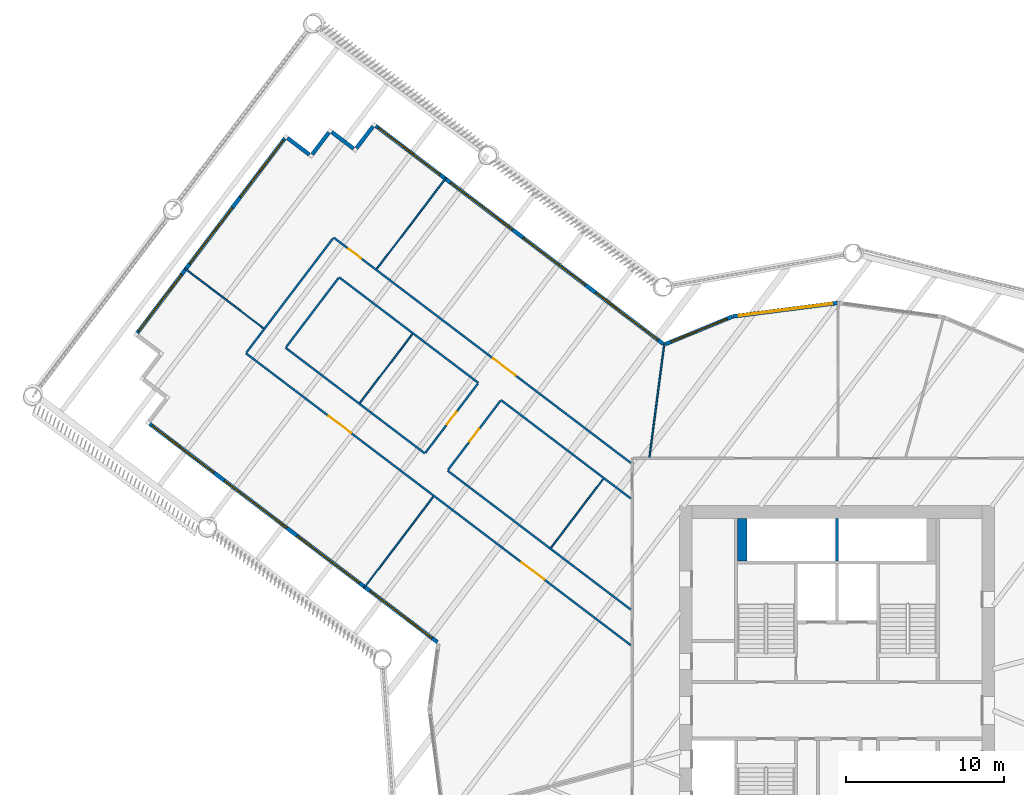
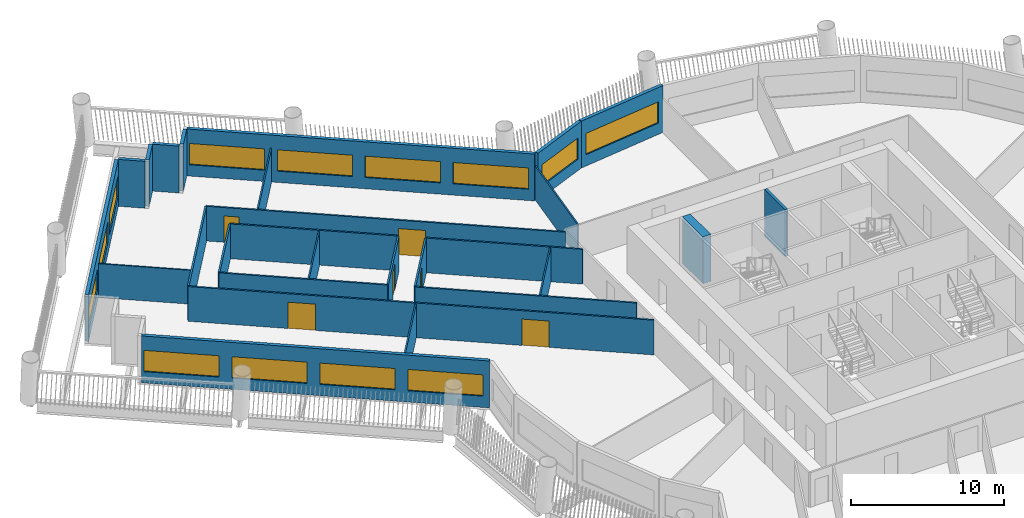
# One storey, part 6 of 16: 27 walls, 13 windows, 6 doors, 19 openings.
"""IFC4 building model written with IfcOpenShell, lengths in metres."""

from ifc_helpers import new_model, si_unit, direction, frame, frame_2d, origin, place, context, subcontext, project, spatial, rectangle, extrude, material, layer, layer_set, type_object, element, fill, save


model = new_model("IFC4")

# Units and contexts
model_context = context("Model", 3, precision=1e-05, world=origin(), true_north=direction((0.0, 1.0)))
body_context = subcontext(model_context, "Body", "Model", "MODEL_VIEW")
ifc_project = project(units=[si_unit("LENGTHUNIT", "METRE"), si_unit("AREAUNIT", "SQUARE_METRE"), si_unit("VOLUMEUNIT", "CUBIC_METRE"), si_unit("PLANEANGLEUNIT", "RADIAN"), si_unit("MASSUNIT", "GRAM", prefix="KILO")], contexts=[model_context])

# Site, building, storey
site_placement = place(None, origin())
site = spatial("IfcSite", under=ifc_project, at=site_placement, CompositionType="ELEMENT")
building_placement = place(site_placement, origin())
building = spatial("IfcBuilding", under=site, at=building_placement, Name="Tarsis Ring Headquarters", CompositionType="ELEMENT")
storey_placement = place(building_placement, frame((0.0, 0.0, 120.10009765625)))
storey = spatial("IfcBuildingStorey", under=building, at=storey_placement, Name="L27", CompositionType="ELEMENT", Elevation=120.10009765625)

# Walls
ifc_material_1 = material(Name="Gypsum board on steel studs", Category="steel")
ifc_layer_1 = layer(ifc_material_1, 0.10009765625)
ifc_layer_set_1 = layer_set([ifc_layer_1], Name="FL partition 100 unrated")
wall_type_1 = type_object("IfcWallType", Name="FL partition 100 unrated", PredefinedType="PARTITIONING", material=ifc_layer_set_1)
wall_1_placement = place(storey_placement, frame((-11.902099609375, 16.069091796875, 0.0), z_axis=(0.0, 0.0, 1.0), x_axis=(0.129333443993, 0.991601159875, 0.0)))
element("IfcWall", 1, at=wall_1_placement, inside=storey, type_object=wall_type_1, Name="Partition PW3", PredefinedType="PARTITIONING", context=body_context, shape_type="SweptSolid", body=[
    extrude(rectangle(XDim=7.273193359375, YDim=0.10009765625, at=frame_2d((3.63671875, 0.0))), origin(), (0.0, 0.0, 1.0), 2.699951171875),
])
for number, where, z_axis, x_axis, name in (
    (2, (-29.208740234375, 28.028564453125, 0.0), (0.0, 0.0, 1.0), (0.604337970402, 0.796728070003, 0.0), "Partition PW3"),
    (3, (-30.0244140625, 7.774658203125, 0.0), (0.0, 0.0, 1.0), (0.604337970402, 0.796728070003, 0.0), "Partition PW3"),
):
    element("IfcWall", number, at=place(storey_placement, frame(where, z_axis=z_axis, x_axis=x_axis)), inside=storey, type_object=wall_type_1, Name=name, PredefinedType="PARTITIONING", context=body_context, shape_type="SweptSolid", body=[
        extrude(rectangle(XDim=7.27001953125, YDim=0.10009765625, at=frame_2d((3.635009765625, 0.0))), origin(), (0.0, 0.0, 1.0), 2.699951171875),
    ])
wall_2_placement = place(storey_placement, frame((-41.41064453125, 28.05859375, 0.0), z_axis=(0.0, 0.0, 1.0), x_axis=(0.796731935229, -0.604332874653, 0.0)))
element("IfcWall", 4, at=wall_2_placement, inside=storey, type_object=wall_type_1, Name="Partition PW3", PredefinedType="PARTITIONING", context=body_context, shape_type="SweptSolid", body=[
    extrude(rectangle(XDim=6.280029296875, YDim=0.10009765625, at=frame_2d((3.14013671875, 0.0))), origin(), (0.0, 0.0, 1.0), 2.699951171875),
])
wall_3_placement = place(storey_placement, frame((-30.27490234375, 19.524169921875, 0.0), z_axis=(0.0, 0.0, 1.0), x_axis=(0.604325050574, 0.796737869847, 0.0)))
element("IfcWall", 5, at=wall_3_placement, inside=storey, type_object=wall_type_1, Name="Partition PW3", PredefinedType="PARTITIONING", context=body_context, shape_type="SweptSolid", body=[
    extrude(rectangle(XDim=5.480224609375, YDim=0.10009765625, at=frame_2d((2.740234375, 0.0))), origin(), (0.0, 0.0, 1.0), 2.699951171875),
])
wall_4_placement = place(storey_placement, frame((-18.1484375, 10.326416015625, 0.0), z_axis=(0.0, 0.0, 1.0), x_axis=(0.604346501589, 0.796721598814, 0.0)))
element("IfcWall", 6, at=wall_4_placement, inside=storey, type_object=wall_type_1, Name="Partition PW3", PredefinedType="PARTITIONING", context=body_context, shape_type="SweptSolid", body=[
    extrude(rectangle(XDim=5.47998046875, YDim=0.10009765625, at=frame_2d((2.739990234375, 0.0))), origin(), (0.0, 0.0, 1.0), 2.699951171875),
])

# Wall, openings, doors
ifc_layer_2 = layer(ifc_material_1, 0.125)
ifc_layer_set_2 = layer_set([ifc_layer_2], Name="FL partition 125 EI 60 H2770")
wall_type_2 = type_object("IfcWallType", Name="FL partition 125 EI 60 H2770", PredefinedType="PARTITIONING", material=ifc_layer_set_2)
wall_5_placement = place(storey_placement, frame((-37.523681640625, 22.67529296875, 0.0), z_axis=(0.0, 0.0, 1.0), x_axis=(0.796742417976, -0.604319054306, 0.0)))
wall_5 = element("IfcWall", 7, at=wall_5_placement, inside=storey, type_object=wall_type_2, Name="Partition PW1", PredefinedType="PARTITIONING", context=body_context, shape_type="SweptSolid", body=[
    extrude(rectangle(XDim=30.669921875, YDim=0.125, at=frame_2d((15.3349609375, 0.0))), origin(), (0.0, 0.0, 1.0), 2.77001953125),
])
opening_1_placement = place(wall_5_placement, frame((6.589599609375, 0.0, 0.0)))
opening_1 = element("IfcOpeningElement", 8, at=opening_1_placement, cuts=wall_5, Name="Opening D27.01", PredefinedType="OPENING", context=body_context, shape_type="SweptSolid", body=[
    extrude(rectangle(XDim=1.800048828125, YDim=2.10009765625, at=frame_2d((0.89990234375, 1.050048828125))), frame((0.0, 0.072509765625, 0.0), z_axis=(0.0, -1.0, 0.0), x_axis=(1.0, 0.0, 0.0)), (0.0, 0.0, 1.0), 0.14501953125),
])
opening_2_placement = place(wall_5_placement, frame((21.9794921875, 0.0, 0.0)))
opening_2 = element("IfcOpeningElement", 9, at=opening_2_placement, cuts=wall_5, Name="Opening D27.15", PredefinedType="OPENING", context=body_context, shape_type="SweptSolid", body=[
    extrude(rectangle(XDim=1.800048828125, YDim=2.10009765625, at=frame_2d((0.89990234375, 1.050048828125))), frame((0.0, 0.072509765625, 0.0), z_axis=(0.0, -1.0, 0.0), x_axis=(1.0, 0.0, 0.0)), (0.0, 0.0, 1.0), 0.14501953125),
])
ifc_material_2 = material(Name="Fire-rated timber door leaf in steel frame", Category="steel")
door_type_1 = type_object("IfcDoorType", Name="FL door FD60-1800", OperationType="DOUBLE_DOOR_SINGLE_SWING", PredefinedType="DOOR", material=ifc_material_2)
door_1_placement = place(opening_1_placement, origin())
door_1 = element("IfcDoor", 10, at=door_1_placement, inside=storey, type_object=door_type_1, Name="Door D27.01", OperationType="DOUBLE_DOOR_SINGLE_SWING", OverallHeight=2.10009765625, OverallWidth=1.800048828125, PredefinedType="DOOR", context=body_context, shape_type="SweptSolid", body=[
    extrude(rectangle(XDim=1.800048828125, YDim=2.10009765625, at=frame_2d((0.89990234375, 1.050048828125))), frame((0.0, 0.02490234375, 0.0), z_axis=(0.0, -1.0, 0.0), x_axis=(1.0, 0.0, 0.0)), (0.0, 0.0, 1.0), 0.050048828125),
])
fill(opening_1, door_1)
door_2_placement = place(opening_2_placement, origin())
door_2 = element("IfcDoor", 11, at=door_2_placement, inside=storey, type_object=door_type_1, Name="Door D27.15", OperationType="DOUBLE_DOOR_SINGLE_SWING", OverallHeight=2.10009765625, OverallWidth=1.800048828125, PredefinedType="DOOR", context=body_context, shape_type="SweptSolid", body=[
    extrude(rectangle(XDim=1.800048828125, YDim=2.10009765625, at=frame_2d((0.89990234375, 1.050048828125))), frame((0.0, 0.02490234375, 0.0), z_axis=(0.0, -1.0, 0.0), x_axis=(1.0, 0.0, 0.0)), (0.0, 0.0, 1.0), 0.050048828125),
])
fill(opening_2, door_2)

wall_6_placement = place(storey_placement, frame((-31.951904296875, 30.021484375, 0.0), z_axis=(0.0, 0.0, 1.0), x_axis=(0.796736467355, -0.604326899606, 0.0)))
wall_6 = element("IfcWall", 12, at=wall_6_placement, inside=storey, type_object=wall_type_2, Name="Partition PW1", PredefinedType="PARTITIONING", context=body_context, shape_type="SweptSolid", body=[
    extrude(rectangle(XDim=23.677001953125, YDim=0.125, at=frame_2d((11.83837890625, 0.0))), origin(), (0.0, 0.0, 1.0), 2.77001953125),
])
opening_3_placement = place(wall_6_placement, frame((1.19384765625, 0.0, 0.0)))
opening_3 = element("IfcOpeningElement", 13, at=opening_3_placement, cuts=wall_6, Name="Opening D27.02", PredefinedType="OPENING", context=body_context, shape_type="SweptSolid", body=[
    extrude(rectangle(XDim=1.0, YDim=2.10009765625, at=frame_2d((0.5, 1.050048828125))), frame((0.0, 0.072509765625, 0.0), z_axis=(0.0, -1.0, 0.0), x_axis=(1.0, 0.0, 0.0)), (0.0, 0.0, 1.0), 0.14501953125),
])
opening_4_placement = place(wall_6_placement, frame((12.6875, 0.0, 0.0)))
opening_4 = element("IfcOpeningElement", 14, at=opening_4_placement, cuts=wall_6, Name="Opening D27.03", PredefinedType="OPENING", context=body_context, shape_type="SweptSolid", body=[
    extrude(rectangle(XDim=1.800048828125, YDim=2.10009765625, at=frame_2d((0.89990234375, 1.050048828125))), frame((0.0, 0.072509765625, 0.0), z_axis=(0.0, -1.0, 0.0), x_axis=(1.0, 0.0, 0.0)), (0.0, 0.0, 1.0), 0.14501953125),
])
door_type_2 = type_object("IfcDoorType", Name="FL door FD60-1000", OperationType="NOTDEFINED", PredefinedType="DOOR", material=ifc_material_2)
door_3_placement = place(opening_3_placement, origin())
door_3 = element("IfcDoor", 15, at=door_3_placement, inside=storey, type_object=door_type_2, Name="Door D27.02", OperationType="SINGLE_SWING_LEFT", OverallHeight=2.10009765625, OverallWidth=1.0, PredefinedType="DOOR", context=body_context, shape_type="SweptSolid", body=[
    extrude(rectangle(XDim=1.0, YDim=2.10009765625, at=frame_2d((0.5, 1.050048828125))), frame((0.0, 0.02490234375, 0.0), z_axis=(0.0, -1.0, 0.0), x_axis=(1.0, 0.0, 0.0)), (0.0, 0.0, 1.0), 0.050048828125),
])
fill(opening_3, door_3)
door_4_placement = place(opening_4_placement, origin())
door_4 = element("IfcDoor", 16, at=door_4_placement, inside=storey, type_object=door_type_1, Name="Door D27.03", OperationType="DOUBLE_DOOR_SINGLE_SWING", OverallHeight=2.10009765625, OverallWidth=1.800048828125, PredefinedType="DOOR", context=body_context, shape_type="SweptSolid", body=[
    extrude(rectangle(XDim=1.800048828125, YDim=2.10009765625, at=frame_2d((0.89990234375, 1.050048828125))), frame((0.0, 0.02490234375, 0.0), z_axis=(0.0, -1.0, 0.0), x_axis=(1.0, 0.0, 0.0)), (0.0, 0.0, 1.0), 0.050048828125),
])
fill(opening_4, door_4)

# Walls
wall_7_placement = place(storey_placement, frame((-24.72412109375, 15.22607421875, 0.0), z_axis=(0.0, 0.0, 1.0), x_axis=(0.796740672275, -0.604321355855, 0.0)))
element("IfcWall", 17, at=wall_7_placement, inside=storey, type_object=wall_type_2, Name="Partition PW1", PredefinedType="PARTITIONING", context=body_context, shape_type="SweptSolid", body=[
    extrude(rectangle(XDim=14.60498046875, YDim=0.125, at=frame_2d((7.302490234375, 0.0))), origin(), (0.0, 0.0, 1.0), 2.77001953125),
])
wall_8_placement = place(storey_placement, frame((-31.605712890625, 27.49951171875, 0.0), z_axis=(0.0, 0.0, 1.0), x_axis=(0.796744585377, -0.604316196765, 0.0)))
element("IfcWall", 18, at=wall_8_placement, inside=storey, type_object=wall_type_2, Name="Partition PW1", PredefinedType="PARTITIONING", context=body_context, shape_type="SweptSolid", body=[
    extrude(rectangle(XDim=11.10009765625, YDim=0.125, at=frame_2d((5.550048828125, 0.0))), origin(), (0.0, 0.0, 1.0), 2.77001953125),
])
wall_9_placement = place(storey_placement, frame((-35.001953125, 23.021728515625, 0.0), z_axis=(0.0, 0.0, 1.0), x_axis=(0.796736552879, -0.604326786851, 0.0)))
element("IfcWall", 19, at=wall_9_placement, inside=storey, type_object=wall_type_2, Name="Partition PW1", PredefinedType="PARTITIONING", context=body_context, shape_type="SweptSolid", body=[
    extrude(rectangle(XDim=11.099853515625, YDim=0.125, at=frame_2d((5.5498046875, 0.0))), origin(), (0.0, 0.0, 1.0), 2.77001953125),
])
wall_10_placement = place(storey_placement, frame((-21.32763671875, 19.70361328125, 0.0), z_axis=(0.0, 0.0, 1.0), x_axis=(0.796739086927, -0.604323445982, 0.0)))
element("IfcWall", 20, at=wall_10_placement, inside=storey, type_object=wall_type_2, Name="Partition PW1", PredefinedType="PARTITIONING", context=body_context, shape_type="SweptSolid", body=[
    extrude(rectangle(XDim=10.342041015625, YDim=0.125, at=frame_2d((5.1708984375, 0.0))), origin(), (0.0, 0.0, 1.0), 2.77001953125),
])
wall_11_placement = place(storey_placement, frame((-37.487548828125, 22.72314453125, 0.0), z_axis=(0.0, 0.0, 1.0), x_axis=(0.604309556998, 0.796749621475, 0.0)))
element("IfcWall", 21, at=wall_11_placement, inside=storey, type_object=wall_type_2, Name="Partition PW1", PredefinedType="PARTITIONING", context=body_context, shape_type="SweptSolid", body=[
    extrude(rectangle(XDim=9.10009765625, YDim=0.125, at=frame_2d((4.550048828125, 0.0))), origin(), (0.0, 0.0, 1.0), 2.77001953125),
])

# Wall, opening, door
wall_12_placement = place(storey_placement, frame((-24.687744140625, 15.273681640625, 0.0), z_axis=(0.0, 0.0, 1.0), x_axis=(0.60429515584, 0.796760544096, 0.0)))
wall_12 = element("IfcWall", 22, at=wall_12_placement, inside=storey, type_object=wall_type_2, Name="Partition PW1", PredefinedType="PARTITIONING", context=body_context, shape_type="SweptSolid", body=[
    extrude(rectangle(XDim=5.500244140625, YDim=0.125, at=frame_2d((2.75, 0.0))), origin(), (0.0, 0.0, 1.0), 2.77001953125),
])
opening_5_placement = place(wall_12_placement, frame((2.25, 0.0, 0.0)))
opening_5 = element("IfcOpeningElement", 23, at=opening_5_placement, cuts=wall_12, Name="Opening D27.17", PredefinedType="OPENING", context=body_context, shape_type="SweptSolid", body=[
    extrude(rectangle(XDim=1.0, YDim=2.10009765625, at=frame_2d((0.5, 1.050048828125))), frame((0.0, 0.072509765625, 0.0), z_axis=(0.0, -1.0, 0.0), x_axis=(1.0, 0.0, 0.0)), (0.0, 0.0, 1.0), 0.14501953125),
])
door_5_placement = place(opening_5_placement, origin())
door_5 = element("IfcDoor", 24, at=door_5_placement, inside=storey, type_object=door_type_2, Name="Door D27.17", OperationType="SINGLE_SWING_RIGHT", OverallHeight=2.10009765625, OverallWidth=1.0, PredefinedType="DOOR", context=body_context, shape_type="SweptSolid", body=[
    extrude(rectangle(XDim=1.0, YDim=2.10009765625, at=frame_2d((0.5, 1.050048828125))), frame((0.0, 0.02490234375, 0.0), z_axis=(0.0, -1.0, 0.0), x_axis=(1.0, 0.0, 0.0)), (0.0, 0.0, 1.0), 0.050048828125),
])
fill(opening_5, door_5)

wall_13_placement = place(storey_placement, frame((-26.121826171875, 16.361572265625, 0.0), z_axis=(0.0, 0.0, 1.0), x_axis=(0.604316528139, 0.796744334036, 0.0)))
wall_13 = element("IfcWall", 25, at=wall_13_placement, inside=storey, type_object=wall_type_2, Name="Partition PW1", PredefinedType="PARTITIONING", context=body_context, shape_type="SweptSolid", body=[
    extrude(rectangle(XDim=5.5, YDim=0.125, at=frame_2d((2.75, 0.0))), origin(), (0.0, 0.0, 1.0), 2.77001953125),
])
opening_6_placement = place(wall_13_placement, frame((2.25, 0.0, 0.0)))
opening_6 = element("IfcOpeningElement", 26, at=opening_6_placement, cuts=wall_13, Name="Opening D27.21", PredefinedType="OPENING", context=body_context, shape_type="SweptSolid", body=[
    extrude(rectangle(XDim=1.0, YDim=2.10009765625, at=frame_2d((0.5, 1.050048828125))), frame((0.0, 0.072509765625, 0.0), z_axis=(0.0, -1.0, 0.0), x_axis=(1.0, 0.0, 0.0)), (0.0, 0.0, 1.0), 0.14501953125),
])
door_6_placement = place(opening_6_placement, origin())
door_6 = element("IfcDoor", 27, at=door_6_placement, inside=storey, type_object=door_type_2, Name="Door D27.21", OperationType="SINGLE_SWING_RIGHT", OverallHeight=2.10009765625, OverallWidth=1.0, PredefinedType="DOOR", context=body_context, shape_type="SweptSolid", body=[
    extrude(rectangle(XDim=1.0, YDim=2.10009765625, at=frame_2d((0.5, 1.050048828125))), frame((0.0, 0.02490234375, 0.0), z_axis=(0.0, -1.0, 0.0), x_axis=(1.0, 0.0, 0.0)), (0.0, 0.0, 1.0), 0.050048828125),
])
fill(opening_6, door_6)

# Wall
wall_14_placement = place(storey_placement, frame((-34.9658203125, 23.069580078125, 0.0), z_axis=(0.0, 0.0, 1.0), x_axis=(0.604344705429, 0.796722961273, 0.0)))
element("IfcWall", 28, at=wall_14_placement, inside=storey, type_object=wall_type_2, Name="Partition PW1", PredefinedType="PARTITIONING", context=body_context, shape_type="SweptSolid", body=[
    extrude(rectangle(XDim=5.500244140625, YDim=0.125, at=frame_2d((2.75, 0.0))), origin(), (0.0, 0.0, 1.0), 2.77001953125),
])

# Wall, openings, windows
ifc_material_3 = material(Name="Terracotta clad insulated panel wall", Category="masonry")
ifc_layer_3 = layer(ifc_material_3, 0.25)
ifc_layer_set_3 = layer_set([ifc_layer_3], Name="Facade wall terracotta panel 250")
wall_type_3 = type_object("IfcWallType", Name="Facade wall terracotta panel 250", PredefinedType="STANDARD", material=ifc_layer_set_3)
wall_15_placement = place(storey_placement, frame((-43.627197265625, 18.186279296875, 0.0), z_axis=(0.0, 0.0, 1.0), x_axis=(0.796745736321, -0.604314679331, 0.0)))
wall_15 = element("IfcWall", 29, at=wall_15_placement, inside=storey, type_object=wall_type_3, Name="External wall L27-01", PredefinedType="STANDARD", context=body_context, shape_type="SweptSolid", body=[
    extrude(rectangle(XDim=22.921875, YDim=0.25, at=frame_2d((11.4609375, 0.0))), origin(), (0.0, 0.0, 1.0), 3.739990234375),
])
opening_7_placement = place(wall_15_placement, frame((0.17138671875, 0.0, 0.89990234375)))
opening_7 = element("IfcOpeningElement", 30, at=opening_7_placement, cuts=wall_15, Name="Opening WN05", PredefinedType="OPENING", context=body_context, shape_type="SweptSolid", body=[
    extrude(rectangle(XDim=4.949951171875, YDim=1.699951171875, at=frame_2d((2.47509765625, 0.85009765625))), frame((0.0, 0.135009765625, 0.0), z_axis=(0.0, -1.0, 0.0), x_axis=(1.0, 0.0, 0.0)), (0.0, 0.0, 1.0), 0.27001953125),
])
opening_8_placement = place(wall_15_placement, frame((5.964599609375, 0.0, 0.89990234375)))
opening_8 = element("IfcOpeningElement", 31, at=opening_8_placement, cuts=wall_15, Name="Opening WN05", PredefinedType="OPENING", context=body_context, shape_type="SweptSolid", body=[
    extrude(rectangle(XDim=4.949951171875, YDim=1.699951171875, at=frame_2d((2.47509765625, 0.85009765625))), frame((0.0, 0.135009765625, 0.0), z_axis=(0.0, -1.0, 0.0), x_axis=(1.0, 0.0, 0.0)), (0.0, 0.0, 1.0), 0.27001953125),
])
opening_9_placement = place(wall_15_placement, frame((11.757568359375, 0.0, 0.89990234375)))
opening_9 = element("IfcOpeningElement", 32, at=opening_9_placement, cuts=wall_15, Name="Opening WN05", PredefinedType="OPENING", context=body_context, shape_type="SweptSolid", body=[
    extrude(rectangle(XDim=4.949951171875, YDim=1.699951171875, at=frame_2d((2.47509765625, 0.85009765625))), frame((0.0, 0.135009765625, 0.0), z_axis=(0.0, -1.0, 0.0), x_axis=(1.0, 0.0, 0.0)), (0.0, 0.0, 1.0), 0.27001953125),
])
opening_10_placement = place(wall_15_placement, frame((17.550537109375, 0.0, 0.89990234375)))
opening_10 = element("IfcOpeningElement", 33, at=opening_10_placement, cuts=wall_15, Name="Opening WN05", PredefinedType="OPENING", context=body_context, shape_type="SweptSolid", body=[
    extrude(rectangle(XDim=4.949951171875, YDim=1.699951171875, at=frame_2d((2.47509765625, 0.85009765625))), frame((0.0, 0.135009765625, 0.0), z_axis=(0.0, -1.0, 0.0), x_axis=(1.0, 0.0, 0.0)), (0.0, 0.0, 1.0), 0.27001953125),
])
ifc_material_4 = material(Name="Aluminium framed double glazing", Category="aluminium")
window_type_1 = type_object("IfcWindowType", Name="Facade window 4950 x 1700", PartitioningType="SINGLE_PANEL", PredefinedType="WINDOW", material=ifc_material_4)
window_1_placement = place(opening_7_placement, origin())
window_1 = element("IfcWindow", 34, at=window_1_placement, inside=storey, type_object=window_type_1, Name="Window L27-01.1", OverallHeight=1.699951171875, OverallWidth=4.949951171875, PartitioningType="SINGLE_PANEL", PredefinedType="WINDOW", context=body_context, shape_type="SweptSolid", body=[
    extrude(rectangle(XDim=4.949951171875, YDim=1.699951171875, at=frame_2d((2.47509765625, 0.85009765625))), frame((0.0, 0.030029296875, 0.0), z_axis=(0.0, -1.0, 0.0), x_axis=(1.0, 0.0, 0.0)), (0.0, 0.0, 1.0), 0.06005859375),
])
fill(opening_7, window_1)
window_2_placement = place(opening_8_placement, origin())
window_2 = element("IfcWindow", 35, at=window_2_placement, inside=storey, type_object=window_type_1, Name="Window L27-01.2", OverallHeight=1.699951171875, OverallWidth=4.949951171875, PartitioningType="SINGLE_PANEL", PredefinedType="WINDOW", context=body_context, shape_type="SweptSolid", body=[
    extrude(rectangle(XDim=4.949951171875, YDim=1.699951171875, at=frame_2d((2.47509765625, 0.85009765625))), frame((0.0, 0.030029296875, 0.0), z_axis=(0.0, -1.0, 0.0), x_axis=(1.0, 0.0, 0.0)), (0.0, 0.0, 1.0), 0.06005859375),
])
fill(opening_8, window_2)
window_3_placement = place(opening_9_placement, origin())
window_3 = element("IfcWindow", 36, at=window_3_placement, inside=storey, type_object=window_type_1, Name="Window L27-01.3", OverallHeight=1.699951171875, OverallWidth=4.949951171875, PartitioningType="SINGLE_PANEL", PredefinedType="WINDOW", context=body_context, shape_type="SweptSolid", body=[
    extrude(rectangle(XDim=4.949951171875, YDim=1.699951171875, at=frame_2d((2.47509765625, 0.85009765625))), frame((0.0, 0.030029296875, 0.0), z_axis=(0.0, -1.0, 0.0), x_axis=(1.0, 0.0, 0.0)), (0.0, 0.0, 1.0), 0.06005859375),
])
fill(opening_9, window_3)
window_4_placement = place(opening_10_placement, origin())
window_4 = element("IfcWindow", 37, at=window_4_placement, inside=storey, type_object=window_type_1, Name="Window L27-01.4", OverallHeight=1.699951171875, OverallWidth=4.949951171875, PartitioningType="SINGLE_PANEL", PredefinedType="WINDOW", context=body_context, shape_type="SweptSolid", body=[
    extrude(rectangle(XDim=4.949951171875, YDim=1.699951171875, at=frame_2d((2.47509765625, 0.85009765625))), frame((0.0, 0.030029296875, 0.0), z_axis=(0.0, -1.0, 0.0), x_axis=(1.0, 0.0, 0.0)), (0.0, 0.0, 1.0), 0.06005859375),
])
fill(opening_10, window_4)

# Wall, opening, window
wall_16_placement = place(storey_placement, frame((0.06494140625, 25.87158203125, 0.0), z_axis=(0.0, 0.0, 1.0), x_axis=(-0.991853682392, -0.127382387818, 0.0)))
wall_16 = element("IfcWall", 38, at=wall_16_placement, inside=storey, type_object=wall_type_3, Name="External wall L27-29", PredefinedType="STANDARD", context=body_context, shape_type="SweptSolid", body=[
    extrude(rectangle(XDim=6.721435546875, YDim=0.25, at=frame_2d((3.36083984375, 0.0))), origin(), (0.0, 0.0, 1.0), 3.739990234375),
])
opening_11_placement = place(wall_16_placement, frame((0.3857421875, 0.0, 0.89990234375)))
opening_11 = element("IfcOpeningElement", 39, at=opening_11_placement, cuts=wall_16, Name="Opening WN07", PredefinedType="OPENING", context=body_context, shape_type="SweptSolid", body=[
    extrude(rectangle(XDim=5.949951171875, YDim=1.699951171875, at=frame_2d((2.97509765625, 0.85009765625))), frame((0.0, 0.135009765625, 0.0), z_axis=(0.0, -1.0, 0.0), x_axis=(1.0, 0.0, 0.0)), (0.0, 0.0, 1.0), 0.27001953125),
])
window_type_2 = type_object("IfcWindowType", Name="Facade window 5950 x 1700", PartitioningType="SINGLE_PANEL", PredefinedType="WINDOW", material=ifc_material_4)
window_5_placement = place(opening_11_placement, origin())
window_5 = element("IfcWindow", 40, at=window_5_placement, inside=storey, type_object=window_type_2, Name="Window L27-29.1", OverallHeight=1.699951171875, OverallWidth=5.949951171875, PartitioningType="SINGLE_PANEL", PredefinedType="WINDOW", context=body_context, shape_type="SweptSolid", body=[
    extrude(rectangle(XDim=5.949951171875, YDim=1.699951171875, at=frame_2d((2.97509765625, 0.85009765625))), frame((0.0, 0.030029296875, 0.0), z_axis=(0.0, -1.0, 0.0), x_axis=(1.0, 0.0, 0.0)), (0.0, 0.0, 1.0), 0.06005859375),
])
fill(opening_11, window_5)

wall_17_placement = place(storey_placement, frame((-6.63330078125, 25.0068359375, 0.0), z_axis=(0.0, 0.0, 1.0), x_axis=(-0.925088149832, -0.37975243915, 0.0)))
wall_17 = element("IfcWall", 41, at=wall_17_placement, inside=storey, type_object=wall_type_3, Name="External wall L27-30", PredefinedType="STANDARD", context=body_context, shape_type="SweptSolid", body=[
    extrude(rectangle(XDim=4.617919921875, YDim=0.25, at=frame_2d((2.30908203125, 0.0))), origin(), (0.0, 0.0, 1.0), 3.739990234375),
])
opening_12_placement = place(wall_17_placement, frame((0.367431640625, 0.0, 0.89990234375)))
opening_12 = element("IfcOpeningElement", 42, at=opening_12_placement, cuts=wall_17, Name="Opening WN02", PredefinedType="OPENING", context=body_context, shape_type="SweptSolid", body=[
    extrude(rectangle(XDim=3.85009765625, YDim=1.699951171875, at=frame_2d((1.925048828125, 0.85009765625))), frame((0.0, 0.135009765625, 0.0), z_axis=(0.0, -1.0, 0.0), x_axis=(1.0, 0.0, 0.0)), (0.0, 0.0, 1.0), 0.27001953125),
])
window_type_3 = type_object("IfcWindowType", Name="Facade window 3850 x 1700", PartitioningType="SINGLE_PANEL", PredefinedType="WINDOW", material=ifc_material_4)
window_6_placement = place(opening_12_placement, origin())
window_6 = element("IfcWindow", 43, at=window_6_placement, inside=storey, type_object=window_type_3, Name="Window L27-30.1", OverallHeight=1.699951171875, OverallWidth=3.85009765625, PartitioningType="SINGLE_PANEL", PredefinedType="WINDOW", context=body_context, shape_type="SweptSolid", body=[
    extrude(rectangle(XDim=3.85009765625, YDim=1.699951171875, at=frame_2d((1.925048828125, 0.85009765625))), frame((0.0, 0.030029296875, 0.0), z_axis=(0.0, -1.0, 0.0), x_axis=(1.0, 0.0, 0.0)), (0.0, 0.0, 1.0), 0.06005859375),
])
fill(opening_12, window_6)

# Wall, openings, windows
wall_18_placement = place(storey_placement, frame((-11.028076171875, 23.269287109375, 0.0), z_axis=(0.0, 0.0, 1.0), x_axis=(-0.796746670127, 0.604313448172, 0.0)))
wall_18 = element("IfcWall", 44, at=wall_18_placement, inside=storey, type_object=wall_type_3, Name="External wall L27-31", PredefinedType="STANDARD", context=body_context, shape_type="SweptSolid", body=[
    extrude(rectangle(XDim=22.9013671875, YDim=0.25, at=frame_2d((11.45068359375, 0.0))), origin(), (0.0, 0.0, 1.0), 3.739990234375),
])
opening_13_placement = place(wall_18_placement, frame((0.4189453125, 0.0, 0.89990234375)))
opening_13 = element("IfcOpeningElement", 45, at=opening_13_placement, cuts=wall_18, Name="Opening WN05", PredefinedType="OPENING", context=body_context, shape_type="SweptSolid", body=[
    extrude(rectangle(XDim=4.949951171875, YDim=1.699951171875, at=frame_2d((2.47509765625, 0.85009765625))), frame((0.0, 0.135009765625, 0.0), z_axis=(0.0, -1.0, 0.0), x_axis=(1.0, 0.0, 0.0)), (0.0, 0.0, 1.0), 0.27001953125),
])
opening_14_placement = place(wall_18_placement, frame((6.206787109375, 0.0, 0.89990234375)))
opening_14 = element("IfcOpeningElement", 46, at=opening_14_placement, cuts=wall_18, Name="Opening WN05", PredefinedType="OPENING", context=body_context, shape_type="SweptSolid", body=[
    extrude(rectangle(XDim=4.949951171875, YDim=1.699951171875, at=frame_2d((2.47509765625, 0.85009765625))), frame((0.0, 0.135009765625, 0.0), z_axis=(0.0, -1.0, 0.0), x_axis=(1.0, 0.0, 0.0)), (0.0, 0.0, 1.0), 0.27001953125),
])
opening_15_placement = place(wall_18_placement, frame((11.99462890625, 0.0, 0.89990234375)))
opening_15 = element("IfcOpeningElement", 47, at=opening_15_placement, cuts=wall_18, Name="Opening WN05", PredefinedType="OPENING", context=body_context, shape_type="SweptSolid", body=[
    extrude(rectangle(XDim=4.949951171875, YDim=1.699951171875, at=frame_2d((2.47509765625, 0.85009765625))), frame((0.0, 0.135009765625, 0.0), z_axis=(0.0, -1.0, 0.0), x_axis=(1.0, 0.0, 0.0)), (0.0, 0.0, 1.0), 0.27001953125),
])
opening_16_placement = place(wall_18_placement, frame((17.782470703125, 0.0, 0.89990234375)))
opening_16 = element("IfcOpeningElement", 48, at=opening_16_placement, cuts=wall_18, Name="Opening WN05", PredefinedType="OPENING", context=body_context, shape_type="SweptSolid", body=[
    extrude(rectangle(XDim=4.949951171875, YDim=1.699951171875, at=frame_2d((2.47509765625, 0.85009765625))), frame((0.0, 0.135009765625, 0.0), z_axis=(0.0, -1.0, 0.0), x_axis=(1.0, 0.0, 0.0)), (0.0, 0.0, 1.0), 0.27001953125),
])
window_7_placement = place(opening_13_placement, origin())
window_7 = element("IfcWindow", 49, at=window_7_placement, inside=storey, type_object=window_type_1, Name="Window L27-31.1", OverallHeight=1.699951171875, OverallWidth=4.949951171875, PartitioningType="SINGLE_PANEL", PredefinedType="WINDOW", context=body_context, shape_type="SweptSolid", body=[
    extrude(rectangle(XDim=4.949951171875, YDim=1.699951171875, at=frame_2d((2.47509765625, 0.85009765625))), frame((0.0, 0.030029296875, 0.0), z_axis=(0.0, -1.0, 0.0), x_axis=(1.0, 0.0, 0.0)), (0.0, 0.0, 1.0), 0.06005859375),
])
fill(opening_13, window_7)
window_8_placement = place(opening_14_placement, origin())
window_8 = element("IfcWindow", 50, at=window_8_placement, inside=storey, type_object=window_type_1, Name="Window L27-31.2", OverallHeight=1.699951171875, OverallWidth=4.949951171875, PartitioningType="SINGLE_PANEL", PredefinedType="WINDOW", context=body_context, shape_type="SweptSolid", body=[
    extrude(rectangle(XDim=4.949951171875, YDim=1.699951171875, at=frame_2d((2.47509765625, 0.85009765625))), frame((0.0, 0.030029296875, 0.0), z_axis=(0.0, -1.0, 0.0), x_axis=(1.0, 0.0, 0.0)), (0.0, 0.0, 1.0), 0.06005859375),
])
fill(opening_14, window_8)
window_9_placement = place(opening_15_placement, origin())
window_9 = element("IfcWindow", 51, at=window_9_placement, inside=storey, type_object=window_type_1, Name="Window L27-31.3", OverallHeight=1.699951171875, OverallWidth=4.949951171875, PartitioningType="SINGLE_PANEL", PredefinedType="WINDOW", context=body_context, shape_type="SweptSolid", body=[
    extrude(rectangle(XDim=4.949951171875, YDim=1.699951171875, at=frame_2d((2.47509765625, 0.85009765625))), frame((0.0, 0.030029296875, 0.0), z_axis=(0.0, -1.0, 0.0), x_axis=(1.0, 0.0, 0.0)), (0.0, 0.0, 1.0), 0.06005859375),
])
fill(opening_15, window_9)
window_10_placement = place(opening_16_placement, origin())
window_10 = element("IfcWindow", 52, at=window_10_placement, inside=storey, type_object=window_type_1, Name="Window L27-31.4", OverallHeight=1.699951171875, OverallWidth=4.949951171875, PartitioningType="SINGLE_PANEL", PredefinedType="WINDOW", context=body_context, shape_type="SweptSolid", body=[
    extrude(rectangle(XDim=4.949951171875, YDim=1.699951171875, at=frame_2d((2.47509765625, 0.85009765625))), frame((0.0, 0.030029296875, 0.0), z_axis=(0.0, -1.0, 0.0), x_axis=(1.0, 0.0, 0.0)), (0.0, 0.0, 1.0), 0.06005859375),
])
fill(opening_16, window_10)

# Walls
for number, where, z_axis, x_axis, name in (
    (53, (-29.44970703125, 37.0849609375, 0.0), (0.0, 0.0, 1.0), (-0.604343733495, -0.796723698521, 0.0), "External wall L27-32"),
    (54, (-30.682373046875, 35.66650390625, 0.0), (0.0, 0.0, 1.0), (-0.796723698521, 0.604343733495, 0.0), "External wall L27-33"),
    (55, (-32.251953125, 36.7001953125, 0.0), (0.0, 0.0, 1.0), (-0.604255167712, -0.796790871116, 0.0), "External wall L27-34"),
    (56, (-33.484619140625, 35.28173828125, 0.0), (0.0, 0.0, 1.0), (-0.796723698521, 0.604343733495, 0.0), "External wall L27-35"),
):
    element("IfcWall", number, at=place(storey_placement, frame(where, z_axis=z_axis, x_axis=x_axis)), inside=storey, type_object=wall_type_3, Name=name, PredefinedType="STANDARD", context=body_context, shape_type="SweptSolid", body=[
        extrude(rectangle(XDim=1.75, YDim=0.25, at=frame_2d((0.875, 0.0))), origin(), (0.0, 0.0, 1.0), 3.739990234375),
    ])

# Wall, openings, windows
wall_19_placement = place(storey_placement, frame((-35.053955078125, 36.315185546875, 0.0), z_axis=(0.0, 0.0, 1.0), x_axis=(-0.604323391768, -0.796739128048, 0.0)))
wall_19 = element("IfcWall", 57, at=wall_19_placement, inside=storey, type_object=wall_type_3, Name="External wall L27-36", PredefinedType="STANDARD", context=body_context, shape_type="SweptSolid", body=[
    extrude(rectangle(XDim=15.5, YDim=0.25, at=frame_2d((7.75, 0.0))), origin(), (0.0, 0.0, 1.0), 3.739990234375),
])
opening_17_placement = place(wall_19_placement, frame((0.166748046875, 0.0, 0.89990234375)))
opening_17 = element("IfcOpeningElement", 58, at=opening_17_placement, cuts=wall_19, Name="Opening WN04", PredefinedType="OPENING", context=body_context, shape_type="SweptSolid", body=[
    extrude(rectangle(XDim=4.5, YDim=1.699951171875, at=frame_2d((2.25, 0.85009765625))), frame((0.0, 0.135009765625, 0.0), z_axis=(0.0, -1.0, 0.0), x_axis=(1.0, 0.0, 0.0)), (0.0, 0.0, 1.0), 0.27001953125),
])
opening_18_placement = place(wall_19_placement, frame((5.5, 0.0, 0.89990234375)))
opening_18 = element("IfcOpeningElement", 59, at=opening_18_placement, cuts=wall_19, Name="Opening WN04", PredefinedType="OPENING", context=body_context, shape_type="SweptSolid", body=[
    extrude(rectangle(XDim=4.5, YDim=1.699951171875, at=frame_2d((2.25, 0.85009765625))), frame((0.0, 0.135009765625, 0.0), z_axis=(0.0, -1.0, 0.0), x_axis=(1.0, 0.0, 0.0)), (0.0, 0.0, 1.0), 0.27001953125),
])
opening_19_placement = place(wall_19_placement, frame((10.833251953125, 0.0, 0.89990234375)))
opening_19 = element("IfcOpeningElement", 60, at=opening_19_placement, cuts=wall_19, Name="Opening WN04", PredefinedType="OPENING", context=body_context, shape_type="SweptSolid", body=[
    extrude(rectangle(XDim=4.5, YDim=1.699951171875, at=frame_2d((2.25, 0.85009765625))), frame((0.0, 0.135009765625, 0.0), z_axis=(0.0, -1.0, 0.0), x_axis=(1.0, 0.0, 0.0)), (0.0, 0.0, 1.0), 0.27001953125),
])
window_type_4 = type_object("IfcWindowType", Name="Facade window 4500 x 1700", PartitioningType="SINGLE_PANEL", PredefinedType="WINDOW", material=ifc_material_4)
window_11_placement = place(opening_17_placement, origin())
window_11 = element("IfcWindow", 61, at=window_11_placement, inside=storey, type_object=window_type_4, Name="Window L27-36.1", OverallHeight=1.699951171875, OverallWidth=4.5, PartitioningType="SINGLE_PANEL", PredefinedType="WINDOW", context=body_context, shape_type="SweptSolid", body=[
    extrude(rectangle(XDim=4.5, YDim=1.699951171875, at=frame_2d((2.25, 0.85009765625))), frame((0.0, 0.030029296875, 0.0), z_axis=(0.0, -1.0, 0.0), x_axis=(1.0, 0.0, 0.0)), (0.0, 0.0, 1.0), 0.06005859375),
])
fill(opening_17, window_11)
window_12_placement = place(opening_18_placement, origin())
window_12 = element("IfcWindow", 62, at=window_12_placement, inside=storey, type_object=window_type_4, Name="Window L27-36.2", OverallHeight=1.699951171875, OverallWidth=4.5, PartitioningType="SINGLE_PANEL", PredefinedType="WINDOW", context=body_context, shape_type="SweptSolid", body=[
    extrude(rectangle(XDim=4.5, YDim=1.699951171875, at=frame_2d((2.25, 0.85009765625))), frame((0.0, 0.030029296875, 0.0), z_axis=(0.0, -1.0, 0.0), x_axis=(1.0, 0.0, 0.0)), (0.0, 0.0, 1.0), 0.06005859375),
])
fill(opening_18, window_12)
window_13_placement = place(opening_19_placement, origin())
window_13 = element("IfcWindow", 63, at=window_13_placement, inside=storey, type_object=window_type_4, Name="Window L27-36.3", OverallHeight=1.699951171875, OverallWidth=4.5, PartitioningType="SINGLE_PANEL", PredefinedType="WINDOW", context=body_context, shape_type="SweptSolid", body=[
    extrude(rectangle(XDim=4.5, YDim=1.699951171875, at=frame_2d((2.25, 0.85009765625))), frame((0.0, 0.030029296875, 0.0), z_axis=(0.0, -1.0, 0.0), x_axis=(1.0, 0.0, 0.0)), (0.0, 0.0, 1.0), 0.06005859375),
])
fill(opening_19, window_13)

# Walls
ifc_material_5 = material(Name="Concrete C32/40", Category="concrete")
ifc_layer_4 = layer(ifc_material_5, 0.60009765625)
ifc_layer_set_4 = layer_set([ifc_layer_4], Name="Shaft end wall 600 C32/40")
wall_type_4 = type_object("IfcWallType", Name="Shaft end wall 600 C32/40", PredefinedType="SOLIDWALL", material=ifc_layer_set_4)
wall_20_placement = place(storey_placement, frame((-6.0, 9.5, 0.0), z_axis=(0.0, 0.0, 1.0), x_axis=(0.0, 1.0, 0.0)))
element("IfcWall", 64, at=wall_20_placement, inside=storey, type_object=wall_type_4, Name="Core shaft wall NNE1", PredefinedType="SOLIDWALL", context=body_context, shape_type="SweptSolid", body=[
    extrude(rectangle(XDim=2.699951171875, YDim=0.60009765625, at=frame_2d((1.35009765625, 0.0))), origin(), (0.0, 0.0, 1.0), 3.739990234375),
])
ifc_layer_5 = layer(ifc_material_5, 0.199951171875)
ifc_layer_set_5 = layer_set([ifc_layer_5], Name="Shaft wall 200 C32/40")
wall_type_5 = type_object("IfcWallType", Name="Shaft wall 200 C32/40", PredefinedType="SOLIDWALL", material=ifc_layer_set_5)
wall_21_placement = place(storey_placement, frame((0.0, 9.5, 0.0), z_axis=(0.0, 0.0, 1.0), x_axis=(0.0, 1.0, 0.0)))
element("IfcWall", 65, at=wall_21_placement, inside=storey, type_object=wall_type_5, Name="Core shaft wall ND2", PredefinedType="SOLIDWALL", context=body_context, shape_type="SweptSolid", body=[
    extrude(rectangle(XDim=2.699951171875, YDim=0.199951171875, at=frame_2d((1.35009765625, 0.0))), origin(), (0.0, 0.0, 1.0), 3.739990234375),
])

save(model, "model.ifc")
